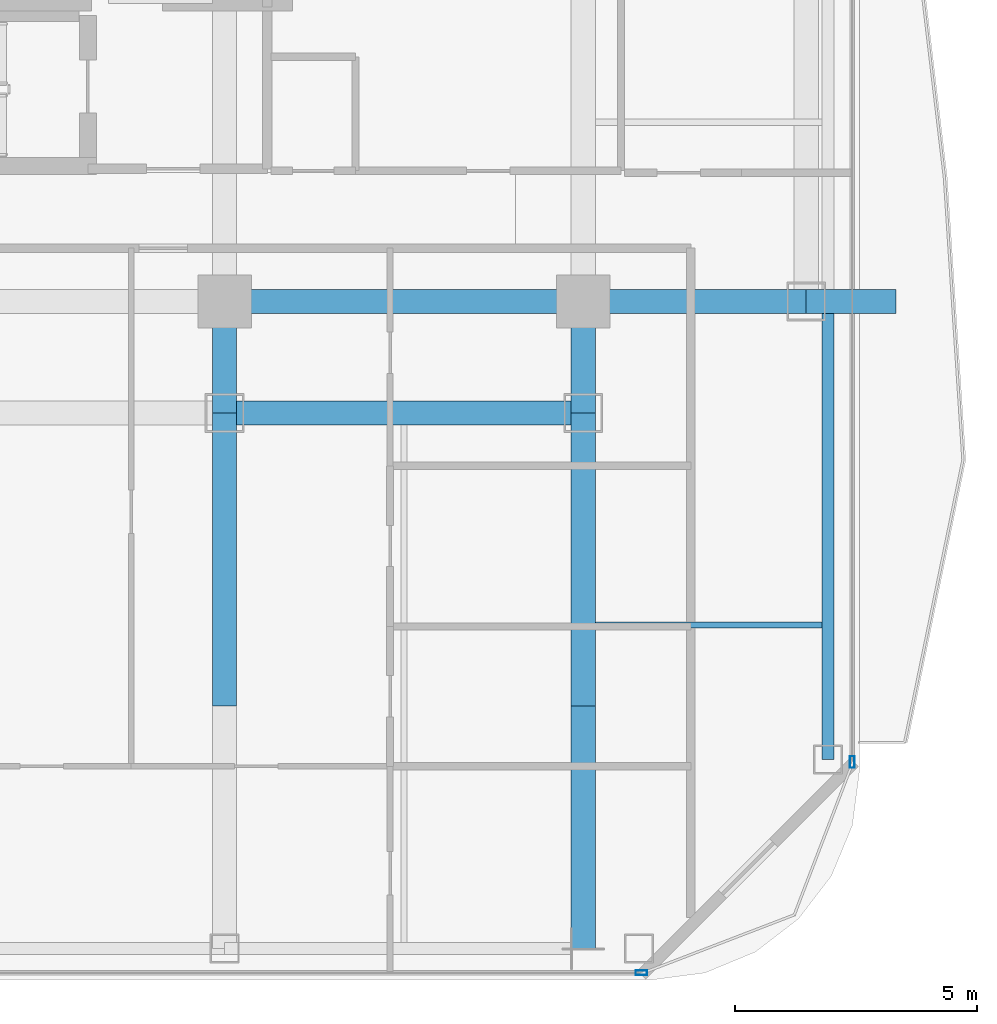
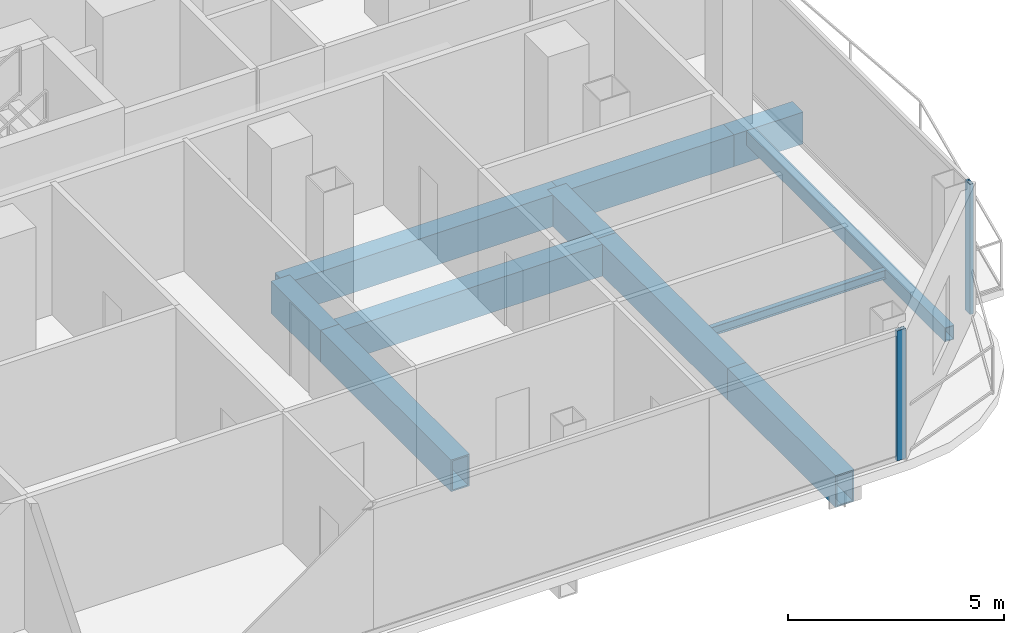
# One storey, part 7 of 24: 11 beams, 2 members, 2 elements without a shape of their own.
"""IFC4 building model written with IfcOpenShell, lengths in metres."""

import ifcopenshell
import ifcopenshell.guid

model = None  # the IFC model being written
_history = None  # IfcOwnerHistory: only IFC2X3 demands one
_inside = {}  # id of a spatial element -> (the spatial element, [elements in it])
_under = {}  # id of a project, library or spatial element -> (it, [spatial elements below it])
_declared = {}  # id of a project -> (the project, [libraries it declares])
_typed = {}  # id of a type object -> (the type object, [elements of that type])
_made_of = {}  # id of a material, layer set ... -> (it, [elements and type objects made of it])


def new_model(schema):
    """Start an empty IFC model of exactly this schema.

    Asked for "IFC4X3", IfcOpenShell would pick the latest addendum, in which some entities
    have other attributes; the version numbers below select the first issue.
    IFC2X3 requires an IfcOwnerHistory on every rooted entity: one is made here for all.
    """
    global model, _history
    if schema == "IFC4X3":
        model = ifcopenshell.file(schema_version=(4, 3, 0, 0))
    else:
        model = ifcopenshell.file(schema=schema)
    _inside.clear()
    _under.clear()
    _declared.clear()
    _typed.clear()
    _made_of.clear()
    _history = None
    if model.schema == "IFC2X3":
        org = make("IfcOrganization", Name="unknown")
        user = make(
            "IfcPersonAndOrganization",
            ThePerson=make("IfcPerson", FamilyName="unknown"),
            TheOrganization=org,
        )
        app = make(
            "IfcApplication",
            ApplicationDeveloper=org,
            Version="unknown",
            ApplicationFullName="unknown",
            ApplicationIdentifier="unknown",
        )
        _history = make(
            "IfcOwnerHistory",
            OwningUser=user,
            OwningApplication=app,
            ChangeAction="ADDED",
            CreationDate=0,
        )
    return model


def make(cls, **values):
    """One entity of the class cls with the attributes given. An attribute that is None is left unset."""
    return model.create_entity(
        cls, **{name: value for name, value in values.items() if value is not None}
    )


def rooted(cls, **values):
    """An entity with a GlobalId (a new one), such as an element, a storey or a relation."""
    return make(cls, GlobalId=ifcopenshell.guid.new(), OwnerHistory=_history, **values)


def si_unit(unit_type, name, prefix=None):
    """IfcSIUnit, for example si_unit("LENGTHUNIT", "METRE", prefix="MILLI")."""
    return make("IfcSIUnit", UnitType=unit_type, Prefix=prefix, Name=name)


def assignment(units):
    """IfcUnitAssignment: the units of a project."""
    return None if units is None else make("IfcUnitAssignment", Units=units)


def point(xyz):
    """IfcCartesianPoint."""
    return None if xyz is None else make("IfcCartesianPoint", Coordinates=xyz)


def direction(xyz):
    """IfcDirection."""
    return None if xyz is None else make("IfcDirection", DirectionRatios=xyz)


def frame(location, z_axis=None, x_axis=None):
    """IfcAxis2Placement3D, a coordinate frame: its origin and axes. An axis left out is left unset."""
    return make(
        "IfcAxis2Placement3D",
        Location=point(location),
        Axis=direction(z_axis),
        RefDirection=direction(x_axis),
    )


def frame_2d(location, x_axis=None):
    """IfcAxis2Placement2D, a coordinate frame in the plane: its origin and x axis."""
    return make(
        "IfcAxis2Placement2D", Location=point(location), RefDirection=direction(x_axis)
    )


def origin():
    """The frame at (0, 0, 0) with its axes left unset."""
    return frame((0.0, 0.0, 0.0))


def origin_2d():
    """The frame at (0, 0) in the plane with its x axis left unset."""
    return frame_2d((0.0, 0.0))


def place(relative_to, where):
    """IfcLocalPlacement: puts the frame where relative to a parent placement (None: the world)."""
    return make(
        "IfcLocalPlacement", PlacementRelTo=relative_to, RelativePlacement=where
    )


def context(
    kind, dimensions, precision=None, world=None, true_north=None, identifier=None
):
    """IfcGeometricRepresentationContext, for example the 3D "Model" context."""
    return make(
        "IfcGeometricRepresentationContext",
        ContextIdentifier=identifier,
        ContextType=kind,
        CoordinateSpaceDimension=dimensions,
        Precision=precision,
        WorldCoordinateSystem=world,
        TrueNorth=true_north,
    )


def subcontext(parent, identifier, kind, view, scale=None):
    """IfcGeometricRepresentationSubContext, for example "Body" below "Model"."""
    return make(
        "IfcGeometricRepresentationSubContext",
        ContextIdentifier=identifier,
        ContextType=kind,
        ParentContext=parent,
        TargetScale=scale,
        TargetView=view,
    )


def project(units=None, contexts=None):
    """IfcProject with its units and contexts."""
    return rooted(
        "IfcProject",
        Name="project",
        RepresentationContexts=contexts,
        UnitsInContext=assignment(units),
    )


def spatial(cls, under=None, at=None, **own):
    """A site, building, storey or space (cls), placed at a placement, below another one or the project."""
    s = rooted(cls, ObjectPlacement=at, **own)
    if under is not None:
        _under.setdefault(under.id(), (under, []))[1].append(s)
    return s


def profile(cls, at=None, kind="AREA", **sizes):
    """A parametric profile (cls). Its sizes go by their IFC names, for example OverallWidth=200.0."""
    return make(cls, ProfileType=kind, Position=at, **sizes)


def hollow_rectangle(**sizes):
    """IfcRectangleHollowProfileDef."""
    return profile("IfcRectangleHollowProfileDef", **sizes)


def i_section(**sizes):
    """IfcIShapeProfileDef."""
    return profile("IfcIShapeProfileDef", **sizes)


def extrude(swept, where, along, depth):
    """IfcExtrudedAreaSolid: the profile swept, set in the frame where, extruded along a direction by depth."""
    return make(
        "IfcExtrudedAreaSolid",
        SweptArea=swept,
        Position=where,
        ExtrudedDirection=direction(along),
        Depth=depth,
    )


def shape(context_of_items, identifier, shape_type, items):
    """IfcShapeRepresentation: the items that make up one representation, for example the "Body"."""
    return make(
        "IfcShapeRepresentation",
        ContextOfItems=context_of_items,
        RepresentationIdentifier=identifier,
        RepresentationType=shape_type,
        Items=items,
    )


def material(Name=None, Category=None):
    """IfcMaterial."""
    return make("IfcMaterial", Name=Name, Category=Category)


def layer(
    of_material, thickness, ventilated=None, Name=None, Category=None, Priority=None
):
    """IfcMaterialLayer: one layer of a wall or slab, of a material (None: an air gap)."""
    return make(
        "IfcMaterialLayer",
        Material=of_material,
        LayerThickness=thickness,
        IsVentilated=ventilated,
        Name=Name,
        Category=Category,
        Priority=Priority,
    )


def layer_set(layers, Name=None):
    """IfcMaterialLayerSet."""
    return make("IfcMaterialLayerSet", MaterialLayers=layers, LayerSetName=Name)


def material_profile(
    of_material, cross_section, Name=None, Category=None, Priority=None
):
    """IfcMaterialProfile: a cross section and its material."""
    return make(
        "IfcMaterialProfile",
        Name=Name,
        Material=of_material,
        Profile=cross_section,
        Priority=Priority,
        Category=Category,
    )


def profile_set(profiles, Name=None, composite=None):
    """IfcMaterialProfileSet."""
    return make(
        "IfcMaterialProfileSet",
        Name=Name,
        MaterialProfiles=profiles,
        CompositeProfile=composite,
    )


def made_of(thing, what):
    """Note that an element or type object is made of a material, layer set ...; save() writes the relation."""
    if what is not None:
        _made_of.setdefault(what.id(), (what, []))[1].append(thing)
    return thing


def type_object(cls, material=None, **own):
    """A type object (cls), such as IfcWallType, which elements share."""
    return made_of(rooted(cls, **own), material)


def element(
    cls,
    number,
    at=None,
    inside=None,
    cuts=None,
    type_object=None,
    material=None,
    context=None,
    identifier="Body",
    shape_type=None,
    held_by="IfcProductDefinitionShape",
    body=None,
    shapes=None,
    **own,
):
    """One element of the class cls, such as IfcWall. Its Tag is "e" and its number.

    at: its placement. inside: the storey or other place that contains it. cuts: it is an
    opening in that element (IfcRelVoidsElement). A single representation is given by context,
    identifier, shape_type and body (its items); several are given by shapes. held_by: the class
    of the entity that holds the representations. save() writes the other relations.
    """
    e = rooted(cls, Tag="e%d" % number, ObjectPlacement=at, **own)
    if body is not None:
        shapes = [shape(context, identifier, shape_type, body)]
    if shapes is not None:
        e.Representation = make(held_by, Representations=shapes)
    if inside is not None:
        _inside.setdefault(inside.id(), (inside, []))[1].append(e)
    if cuts is not None:
        rooted(
            "IfcRelVoidsElement", RelatingBuildingElement=cuts, RelatedOpeningElement=e
        )
    if type_object is not None:
        _typed.setdefault(type_object.id(), (type_object, []))[1].append(e)
    return made_of(e, material)


def aggregate(whole, parts):
    """IfcRelAggregates: a whole, such as a stair, and the parts it consists of."""
    return rooted("IfcRelAggregates", RelatingObject=whole, RelatedObjects=parts)


def save(model, path):
    """Write the relations noted so far, then the file.

    IfcRelAggregates (storeys below a building ...), IfcRelContainedInSpatialStructure (elements
    in a storey), IfcRelDefinesByType, IfcRelAssociatesMaterial and IfcRelDeclares: one each for
    every whole, place, type object, material and project.
    """
    for whole, parts in _under.values():
        aggregate(whole, parts)
    for where, things in _inside.values():
        rooted(
            "IfcRelContainedInSpatialStructure",
            RelatedElements=things,
            RelatingStructure=where,
        )
    for kind, things in _typed.values():
        rooted("IfcRelDefinesByType", RelatedObjects=things, RelatingType=kind)
    for what, things in _made_of.values():
        rooted("IfcRelAssociatesMaterial", RelatedObjects=things, RelatingMaterial=what)
    for by, libraries in _declared.values():
        rooted("IfcRelDeclares", RelatingContext=by, RelatedDefinitions=libraries)
    model.write(path)


model = new_model("IFC4")

# Units and contexts
model_context = context("Model", 3, precision=1e-05, world=origin(), true_north=direction((0.0, 1.0)))
body_context = subcontext(model_context, "Body", "Model", "MODEL_VIEW")
ifc_project = project(units=[si_unit("LENGTHUNIT", "METRE"), si_unit("AREAUNIT", "SQUARE_METRE"), si_unit("VOLUMEUNIT", "CUBIC_METRE"), si_unit("PLANEANGLEUNIT", "RADIAN"), si_unit("MASSUNIT", "GRAM", prefix="KILO")], contexts=[model_context])

# Site, building, storey
site_placement = place(None, origin())
site = spatial("IfcSite", under=ifc_project, at=site_placement, CompositionType="ELEMENT")
building_placement = place(site_placement, origin())
building = spatial("IfcBuilding", under=site, at=building_placement, Name="Khorvyn Point Tower", CompositionType="ELEMENT")
storey_placement = place(building_placement, frame((0.0, 0.0, 191.39990234375)))
storey = spatial("IfcBuildingStorey", under=building, at=storey_placement, Name="L47", CompositionType="ELEMENT", Elevation=191.39990234375)

# Curtain wall, member
ifc_material_1 = material(Name="Anodised aluminium 6063-T6 and laminated Low-E glass", Category="aluminium")
ifc_layer = layer(ifc_material_1, 0.18994140625)
ifc_layer_set = layer_set([ifc_layer], Name="Stick-Built Acoustic Curtain Wall CW-SYS-03")
curtain_wall_type = type_object("IfcCurtainWallType", Name="Stick-Built Acoustic Curtain Wall CW-SYS-03", PredefinedType="NOTDEFINED", material=ifc_layer_set)
curtain_wall_1_placement = place(storey_placement, origin())
curtain_wall_1 = element("IfcCurtainWall", 1, at=curtain_wall_1_placement, inside=storey, type_object=curtain_wall_type, Name="Curtain Wall", PredefinedType="NOTDEFINED")
ifc_material_2 = material(Name="Anodised aluminium 6063-T6", Category="aluminium")
ifc_material_profile_1 = material_profile(ifc_material_2, hollow_rectangle(XDim=0.10009765625, YDim=0.239990234375, WallThickness=0.0048828125, at=origin_2d()))
ifc_profile_set_1 = profile_set([ifc_material_profile_1], Name="Anodised aluminium 6063-T6 ALU-MUL-100x240")
member_type = type_object("IfcMemberType", Name="Anodised Aluminium 6063-T6 Mullion ALU-MUL-100x240", PredefinedType="MULLION", material=ifc_profile_set_1)
member_1_placement = place(storey_placement, frame((16.0, -28.64990234375, 0.0), z_axis=(0.0, 0.0, 1.0), x_axis=(0.0, -1.0, 0.0)))
member_1 = element("IfcMember", 2, at=member_1_placement, type_object=member_type, Name="Transom", PredefinedType="MULLION", context=body_context, shape_type="SweptSolid", body=[
    extrude(hollow_rectangle(XDim=0.10009765625, YDim=0.239990234375, WallThickness=0.0048828125, at=origin_2d()), origin(), (0.0, 0.0, 1.0), 3.68017578125),
])
aggregate(curtain_wall_1, [member_1])

curtain_wall_2_placement = place(storey_placement, origin())
curtain_wall_2 = element("IfcCurtainWall", 3, at=curtain_wall_2_placement, inside=storey, type_object=curtain_wall_type, Name="Curtain Wall", PredefinedType="NOTDEFINED")
member_2_placement = place(storey_placement, frame((20.35009765625, -24.300048828125, 0.0), z_axis=(0.0, 0.0, 1.0), x_axis=(1.0, 0.0, 0.0)))
member_2 = element("IfcMember", 4, at=member_2_placement, type_object=member_type, Name="Transom", PredefinedType="MULLION", context=body_context, shape_type="SweptSolid", body=[
    extrude(hollow_rectangle(XDim=0.10009765625, YDim=0.239990234375, WallThickness=0.0048828125, at=origin_2d()), origin(), (0.0, 0.0, 1.0), 3.68017578125),
])
aggregate(curtain_wall_2, [member_2])

# Beams
ifc_material_3 = material(Name="Steel S355", Category="steel")
ifc_material_profile_2 = material_profile(ifc_material_3, i_section(OverallWidth=0.125, OverallDepth=0.25, WebThickness=0.006103515625, FlangeThickness=0.009033203125, at=origin_2d()))
ifc_profile_set_2 = profile_set([ifc_material_profile_2], Name="Steel S355 H250x125x6x9")
beam_type_1 = type_object("IfcBeamType", Name="Steel S355 Joist H250x125x6x9", PredefinedType="JOIST", material=ifc_profile_set_2)
beam_1_placement = place(storey_placement, frame((15.050048828125, -21.47509765625, -0.40478515625), z_axis=(1.0, 0.0, 0.0), x_axis=(0.0, 1.0, 0.0)))
element("IfcBeam", 5, at=beam_1_placement, inside=storey, type_object=beam_type_1, Name="Beam", PredefinedType="JOIST", context=body_context, shape_type="SweptSolid", body=[
    extrude(i_section(OverallWidth=0.125, OverallDepth=0.25, WebThickness=0.006103515625, FlangeThickness=0.009033203125, at=origin_2d()), origin(), (0.0, 0.0, 1.0), 4.675048828125),
])
ifc_material_profile_3 = material_profile(ifc_material_3, hollow_rectangle(XDim=0.25, YDim=0.39990234375, WallThickness=0.01611328125, at=origin_2d()))
ifc_profile_set_3 = profile_set([ifc_material_profile_3], Name="Steel S355 RHS400x250x16")
beam_type_2 = type_object("IfcBeamType", Name="Steel S355 Spandrel RHS400x250x16", PredefinedType="SPANDREL", material=ifc_profile_set_3)
beam_2_placement = place(storey_placement, frame((19.85009765625, -24.25, -0.47998046875), z_axis=(0.0, 1.0, 0.0), x_axis=(-1.0, 0.0, 0.0)))
element("IfcBeam", 6, at=beam_2_placement, inside=storey, type_object=beam_type_2, Name="Beam", PredefinedType="SPANDREL", context=body_context, shape_type="SweptSolid", body=[
    extrude(hollow_rectangle(XDim=0.25, YDim=0.39990234375, WallThickness=0.01611328125, at=origin_2d()), origin(), (0.0, 0.0, 1.0), 9.449951171875),
])
ifc_material_4 = material(Name="Steel S450", Category="steel")
ifc_material_profile_4 = material_profile(ifc_material_4, hollow_rectangle(XDim=0.5, YDim=0.89990234375, WallThickness=0.0400390625, at=origin_2d()))
ifc_profile_set_4 = profile_set([ifc_material_profile_4], Name="Steel S450 BOX900x500x40")
beam_type_3 = type_object("IfcBeamType", Name="Steel S450 Beam BOX900x500x40", PredefinedType="BEAM", material=ifc_profile_set_4)
beam_3_placement = place(storey_placement, frame((7.39990234375, -14.800048828125, -0.72998046875), z_axis=(1.0, 0.0, 0.0), x_axis=(0.0, 1.0, 0.0)))
element("IfcBeam", 7, at=beam_3_placement, inside=storey, type_object=beam_type_3, Name="L47 Radial Transfer Girder", PredefinedType="BEAM", context=body_context, shape_type="SweptSolid", body=[
    extrude(hollow_rectangle(XDim=0.5, YDim=0.89990234375, WallThickness=0.0400390625, at=origin_2d()), origin(), (0.0, 0.0, 1.0), 7.400146484375),
])
beam_4_placement = place(storey_placement, frame((14.800048828125, -14.800048828125, -0.72998046875), z_axis=(1.0, 0.0, 0.0), x_axis=(0.0, 1.0, 0.0)))
element("IfcBeam", 8, at=beam_4_placement, inside=storey, type_object=beam_type_3, Name="L47 Radial Transfer Girder", PredefinedType="BEAM", context=body_context, shape_type="SweptSolid", body=[
    extrude(hollow_rectangle(XDim=0.5, YDim=0.89990234375, WallThickness=0.0400390625, at=origin_2d()), origin(), (0.0, 0.0, 1.0), 4.599853515625),
])
beam_5_placement = place(storey_placement, frame((19.39990234375, -14.800048828125, -0.72998046875), z_axis=(1.0, 0.0, 0.0), x_axis=(0.0, 1.0, 0.0)))
element("IfcBeam", 9, at=beam_5_placement, inside=storey, type_object=beam_type_3, Name="L47 Radial Transfer Girder", PredefinedType="BEAM", context=body_context, shape_type="SweptSolid", body=[
    extrude(hollow_rectangle(XDim=0.5, YDim=0.89990234375, WallThickness=0.0400390625, at=origin_2d()), origin(), (0.0, 0.0, 1.0), 1.85009765625),
])
beam_6_placement = place(storey_placement, frame((7.39990234375, -17.10009765625, -0.72998046875), z_axis=(1.0, 0.0, 0.0), x_axis=(0.0, 1.0, 0.0)))
element("IfcBeam", 10, at=beam_6_placement, inside=storey, type_object=beam_type_3, Name="Beam", PredefinedType="BEAM", context=body_context, shape_type="SweptSolid", body=[
    extrude(hollow_rectangle(XDim=0.5, YDim=0.89990234375, WallThickness=0.0400390625, at=origin_2d()), origin(), (0.0, 0.0, 1.0), 7.400146484375),
])
beam_7_placement = place(storey_placement, frame((14.800048828125, -28.14990234375, -0.72998046875), z_axis=(0.0, 1.0, 0.0), x_axis=(-1.0, 0.0, 0.0)))
element("IfcBeam", 11, at=beam_7_placement, inside=storey, type_object=beam_type_3, Name="L47 Radial Transfer Girder", PredefinedType="BEAM", context=body_context, shape_type="SweptSolid", body=[
    extrude(hollow_rectangle(XDim=0.5, YDim=0.89990234375, WallThickness=0.0400390625, at=origin_2d()), origin(), (0.0, 0.0, 1.0), 5.0),
])
beam_8_placement = place(storey_placement, frame((14.800048828125, -23.14990234375, -0.72998046875), z_axis=(0.0, 1.0, 0.0), x_axis=(-1.0, 0.0, 0.0)))
element("IfcBeam", 12, at=beam_8_placement, inside=storey, type_object=beam_type_3, Name="L47 Radial Transfer Girder", PredefinedType="BEAM", context=body_context, shape_type="SweptSolid", body=[
    extrude(hollow_rectangle(XDim=0.5, YDim=0.89990234375, WallThickness=0.0400390625, at=origin_2d()), origin(), (0.0, 0.0, 1.0), 6.0498046875),
])
beam_9_placement = place(storey_placement, frame((14.800048828125, -17.10009765625, -0.72998046875), z_axis=(0.0, 1.0, 0.0), x_axis=(-1.0, 0.0, 0.0)))
element("IfcBeam", 13, at=beam_9_placement, inside=storey, type_object=beam_type_3, Name="L47 Radial Transfer Girder", PredefinedType="BEAM", context=body_context, shape_type="SweptSolid", body=[
    extrude(hollow_rectangle(XDim=0.5, YDim=0.89990234375, WallThickness=0.0400390625, at=origin_2d()), origin(), (0.0, 0.0, 1.0), 2.300048828125),
])
beam_10_placement = place(storey_placement, frame((7.39990234375, -23.14990234375, -0.72998046875), z_axis=(0.0, 1.0, 0.0), x_axis=(-1.0, 0.0, 0.0)))
element("IfcBeam", 14, at=beam_10_placement, inside=storey, type_object=beam_type_3, Name="Beam", PredefinedType="BEAM", context=body_context, shape_type="SweptSolid", body=[
    extrude(hollow_rectangle(XDim=0.5, YDim=0.89990234375, WallThickness=0.0400390625, at=origin_2d()), origin(), (0.0, 0.0, 1.0), 6.0498046875),
])
beam_11_placement = place(storey_placement, frame((7.39990234375, -17.10009765625, -0.72998046875), z_axis=(0.0, 1.0, 0.0), x_axis=(-1.0, 0.0, 0.0)))
element("IfcBeam", 15, at=beam_11_placement, inside=storey, type_object=beam_type_3, Name="Beam", PredefinedType="BEAM", context=body_context, shape_type="SweptSolid", body=[
    extrude(hollow_rectangle(XDim=0.5, YDim=0.89990234375, WallThickness=0.0400390625, at=origin_2d()), origin(), (0.0, 0.0, 1.0), 2.300048828125),
])

save(model, "model.ifc")
